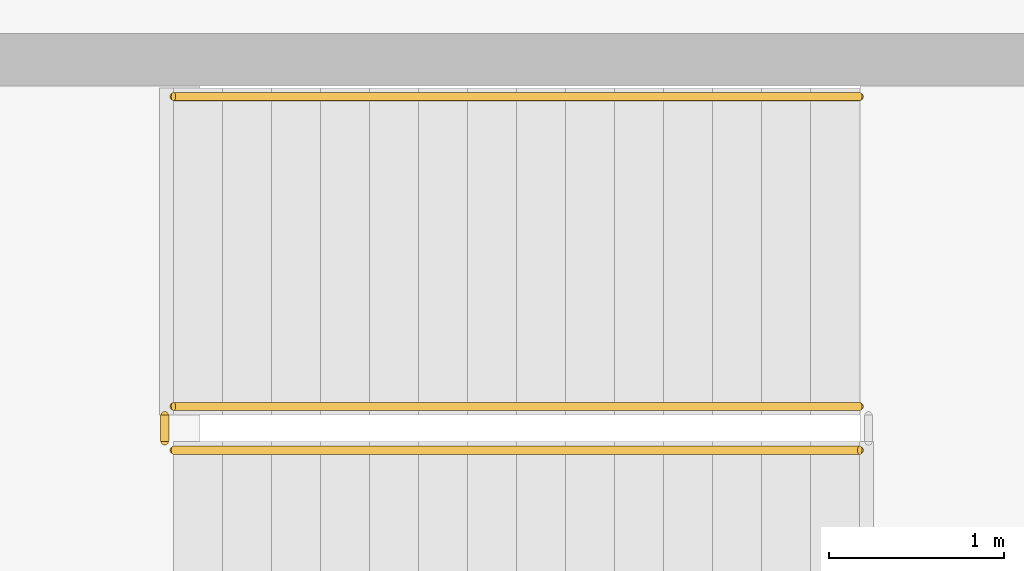
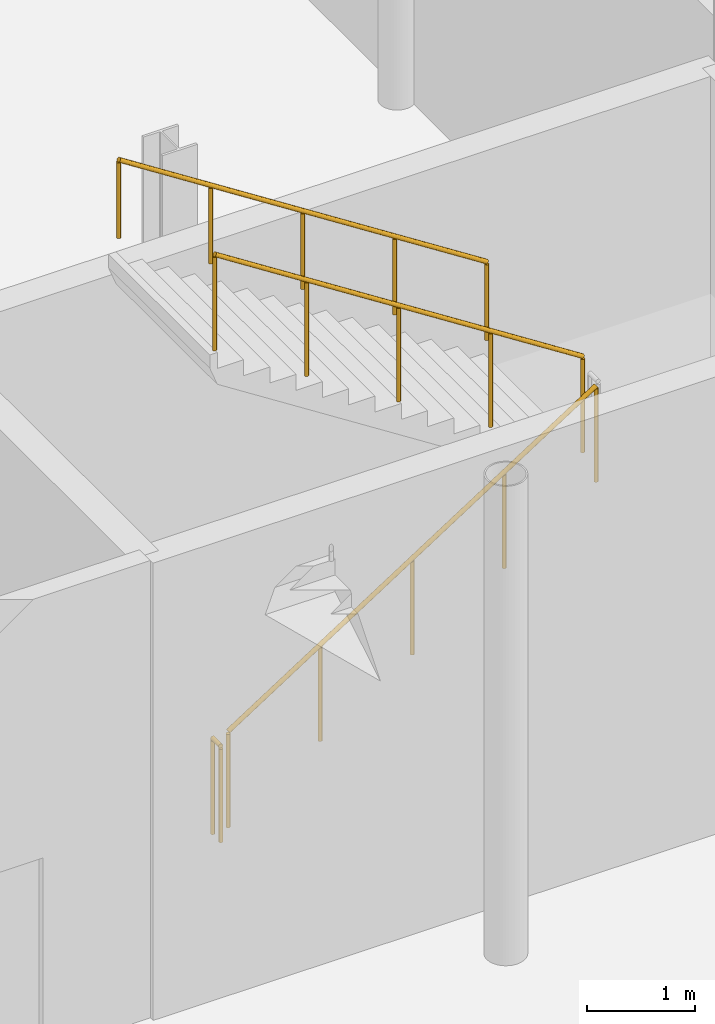
# One storey, part 95 of 105: 4 railings.
"""IFC4 building model written with IfcOpenShell, lengths in metres."""

from ifc_helpers import new_model, si_unit, direction, frame, origin, origin_2d, place, context, subcontext, project, spatial, circle, extrude, material, type_object, element, save


model = new_model("IFC4")

# Units and contexts
model_context = context("Model", 3, precision=1e-05, world=origin(), true_north=direction((0.0, 1.0)))
body_context = subcontext(model_context, "Body", "Model", "MODEL_VIEW")
ifc_project = project(units=[si_unit("LENGTHUNIT", "METRE"), si_unit("AREAUNIT", "SQUARE_METRE"), si_unit("VOLUMEUNIT", "CUBIC_METRE"), si_unit("PLANEANGLEUNIT", "RADIAN"), si_unit("MASSUNIT", "GRAM", prefix="KILO")], contexts=[model_context])

# Site, building, storey
site_placement = place(None, origin())
site = spatial("IfcSite", under=ifc_project, at=site_placement, CompositionType="ELEMENT")
building_placement = place(site_placement, origin())
building = spatial("IfcBuilding", under=site, at=building_placement, Name="Mirzam Square Science Centre", CompositionType="ELEMENT")
storey_placement = place(building_placement, frame((0.0, 0.0, 5.39990234375)))
storey = spatial("IfcBuildingStorey", under=building, at=storey_placement, Name="L01", CompositionType="ELEMENT", Elevation=5.39990234375)

# Railings
ifc_material_1 = material(Name="Bronze-Anodised Architectural Balustrade", Category="aluminium")
railing_type_1 = type_object("IfcRailingType", Name="RL-INT-GUARD-1100", PredefinedType="GUARDRAIL", material=ifc_material_1)
railing_1_placement = place(storey_placement, frame((28.669921875, 64.820068359375, 0.18017578125)))
element("IfcRailing", 1, at=railing_1_placement, inside=storey, type_object=railing_type_1, Name="L01 ST-02 stair guard 1", PredefinedType="GUARDRAIL", context=body_context, shape_type="SweptSolid", body=[
    extrude(circle(Radius=0.02392578125, at=origin_2d()), frame((0.0, 0.0, 1.076171875), z_axis=(0.841186985886, 0.0, 0.540744352514), x_axis=(0.0, 1.0, 0.0)), (0.0, 0.0, 1.0), 4.660400390625),
    extrude(circle(Radius=0.02099609375, at=origin_2d()), origin(), (0.0, 0.0, 1.0), 1.052001953125),
    extrude(circle(Radius=0.02099609375, at=origin_2d()), frame((0.97998046875, 0.0, 0.6298828125)), (0.0, 0.0, 1.0), 1.052001953125),
    extrude(circle(Radius=0.02099609375, at=origin_2d()), frame((1.9599609375, 0.0, 1.260009765625)), (0.0, 0.0, 1.0), 1.052001953125),
    extrude(circle(Radius=0.02099609375, at=origin_2d()), frame((2.940185546875, 0.0, 1.89013671875)), (0.0, 0.0, 1.0), 1.052001953125),
    extrude(circle(Radius=0.02099609375, at=origin_2d()), frame((3.920166015625, 0.0, 2.52001953125)), (0.0, 0.0, 1.0), 1.052001953125),
])
railing_2_placement = place(storey_placement, frame((32.590087890625, 65.070068359375, 2.880126953125)))
element("IfcRailing", 2, at=railing_2_placement, inside=storey, type_object=railing_type_1, Name="L01 ST-02 stair guard 3", PredefinedType="GUARDRAIL", context=body_context, shape_type="SweptSolid", body=[
    extrude(circle(Radius=0.02392578125, at=origin_2d()), frame((0.0, 0.0, 1.076171875), z_axis=(-0.841186985886, 0.0, 0.540744352514), x_axis=(0.0, -1.0, 0.0)), (0.0, 0.0, 1.0), 4.660400390625),
    extrude(circle(Radius=0.02099609375, at=origin_2d()), origin(), (0.0, 0.0, 1.0), 1.052001953125),
    extrude(circle(Radius=0.02099609375, at=origin_2d()), frame((-0.97998046875, 0.0, 0.6298828125)), (0.0, 0.0, 1.0), 1.052001953125),
    extrude(circle(Radius=0.02099609375, at=origin_2d()), frame((-1.9599609375, 0.0, 1.260009765625)), (0.0, 0.0, 1.0), 1.052001953125),
    extrude(circle(Radius=0.02099609375, at=origin_2d()), frame((-2.940185546875, 0.0, 1.89013671875)), (0.0, 0.0, 1.0), 1.052001953125),
    extrude(circle(Radius=0.02099609375, at=origin_2d()), frame((-3.920166015625, 0.0, 2.52001953125)), (0.0, 0.0, 1.0), 1.052001953125),
])
railing_3_placement = place(storey_placement, frame((28.6201171875, 64.8701171875, 0.0)))
element("IfcRailing", 3, at=railing_3_placement, inside=storey, type_object=railing_type_1, Name="L01 ST-02 stair guard 4", PredefinedType="GUARDRAIL", context=body_context, shape_type="SweptSolid", body=[
    extrude(circle(Radius=0.02392578125, at=origin_2d()), frame((0.0, 0.0, 1.076171875), z_axis=(0.0, 1.0, 0.0), x_axis=(-1.0, 0.0, 0.0)), (0.0, 0.0, 1.0), 0.14990234375),
    extrude(circle(Radius=0.02099609375, at=origin_2d()), origin(), (0.0, 0.0, 1.0), 1.052001953125),
    extrude(circle(Radius=0.02099609375, at=origin_2d()), frame((0.0, 0.14990234375, 0.0)), (0.0, 0.0, 1.0), 1.052001953125),
])
ifc_material_2 = material(Name="Brushed Bronze Tubular Handrail", Category="aluminium")
railing_type_2 = type_object("IfcRailingType", Name="RL-STAIR-HANDRAIL-900", PredefinedType="HANDRAIL", material=ifc_material_2)
railing_4_placement = place(storey_placement, frame((32.590087890625, 66.840087890625, 3.072021484375)))
element("IfcRailing", 4, at=railing_4_placement, inside=storey, type_object=railing_type_2, Name="L01 ST-02 stair handrail 2", PredefinedType="HANDRAIL", context=body_context, shape_type="SweptSolid", body=[
    extrude(circle(Radius=0.02392578125, at=origin_2d()), frame((0.0, 0.0, 0.8759765625), z_axis=(-0.841186985886, 0.0, 0.540744352514), x_axis=(0.0, -1.0, 0.0)), (0.0, 0.0, 1.0), 4.660400390625),
    extrude(circle(Radius=0.02099609375, at=origin_2d()), origin(), (0.0, 0.0, 1.0), 0.851806640625),
    extrude(circle(Radius=0.02099609375, at=origin_2d()), frame((-0.97998046875, 0.0, 0.6298828125)), (0.0, 0.0, 1.0), 0.851806640625),
    extrude(circle(Radius=0.02099609375, at=origin_2d()), frame((-1.9599609375, 0.0, 1.260009765625)), (0.0, 0.0, 1.0), 0.851806640625),
    extrude(circle(Radius=0.02099609375, at=origin_2d()), frame((-2.940185546875, 0.0, 1.89013671875)), (0.0, 0.0, 1.0), 0.851806640625),
    extrude(circle(Radius=0.02099609375, at=origin_2d()), frame((-3.920166015625, 0.0, 2.52001953125)), (0.0, 0.0, 1.0), 0.851806640625),
])

save(model, "model.ifc")
